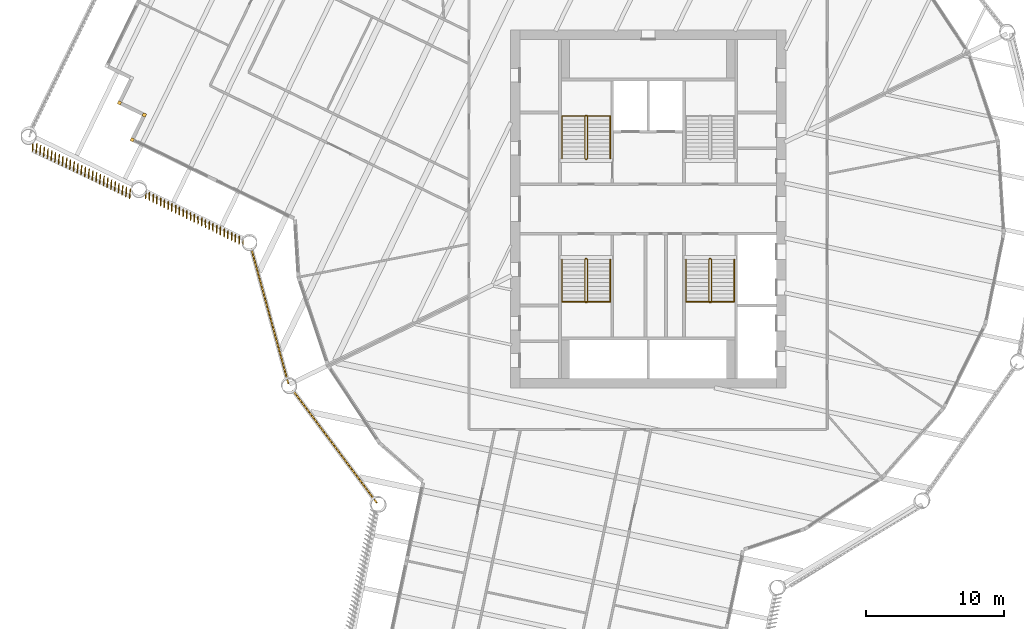
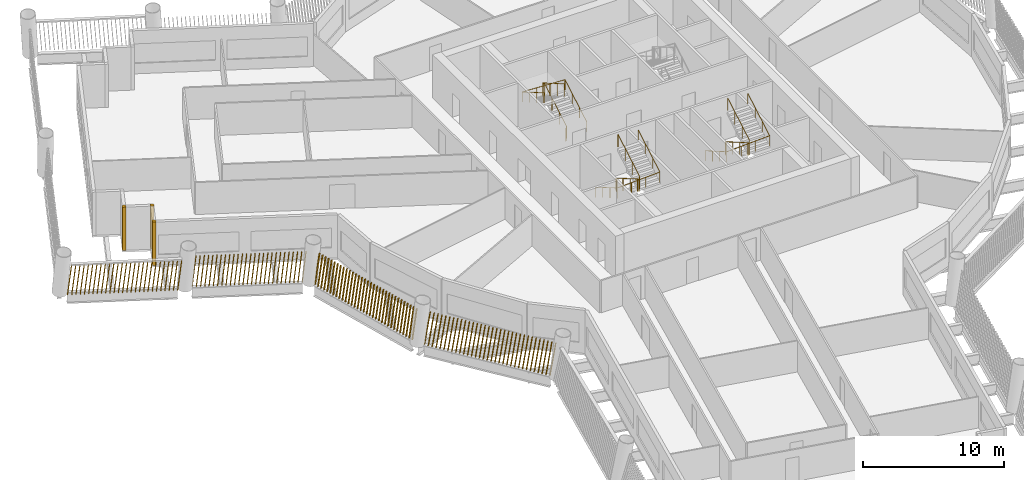
# One storey, part 12 of 15: 7 shading devices, 6 railings.
"""IFC4 building model written with IfcOpenShell, lengths in metres."""

from ifc_helpers import new_model, si_unit, direction, frame, frame_2d, origin, origin_2d, place, context, subcontext, project, spatial, rectangle, circle, composite_profile, extrude, material, type_object, element, save


model = new_model("IFC4")

# Units and contexts
model_context = context("Model", 3, precision=1e-05, world=origin(), true_north=direction((0.0, 1.0)))
body_context = subcontext(model_context, "Body", "Model", "MODEL_VIEW")
ifc_project = project(units=[si_unit("LENGTHUNIT", "METRE"), si_unit("AREAUNIT", "SQUARE_METRE"), si_unit("VOLUMEUNIT", "CUBIC_METRE"), si_unit("PLANEANGLEUNIT", "RADIAN"), si_unit("MASSUNIT", "GRAM", prefix="KILO")], contexts=[model_context])

# Site, building, storey
site_placement = place(None, origin())
site = spatial("IfcSite", under=ifc_project, at=site_placement, CompositionType="ELEMENT")
building_placement = place(site_placement, origin())
building = spatial("IfcBuilding", under=site, at=building_placement, Name="Tarsis Ring Headquarters", CompositionType="ELEMENT")
storey_placement = place(building_placement, frame((0.0, 0.0, 174.89990234375)))
storey = spatial("IfcBuildingStorey", under=building, at=storey_placement, Name="L40", CompositionType="ELEMENT", Elevation=174.89990234375)

# Railings
ifc_material_1 = material(Name="Steel S355", Category="steel")
railing_type_1 = type_object("IfcRailingType", Name="Core stair guard 1100", PredefinedType="GUARDRAIL", material=ifc_material_1)
railing_1_placement = place(storey_placement, frame((-4.5400390625, 3.610107421875, 0.0)))
element("IfcRailing", 1, at=railing_1_placement, inside=storey, type_object=railing_type_1, Name="L40 ST1 stair guard 1", PredefinedType="GUARDRAIL", context=body_context, shape_type="SweptSolid", body=[
    extrude(circle(Radius=0.02392578125, at=origin_2d()), frame((0.0, 0.0, 1.076171875), z_axis=(1.0, 0.0, 0.0), x_axis=(0.0, 1.0, 0.0)), (0.0, 0.0, 1.0), 0.080078125),
    extrude(circle(Radius=0.02392578125, at=origin_2d()), frame((0.080078125, 0.0, 1.076171875), z_axis=(0.282336740067, 0.280959487676, 0.917250092119), x_axis=(-0.705375805398, 0.708833529934, 0.0)), (0.0, 0.0, 1.0), 0.17724609375),
    extrude(circle(Radius=0.02392578125, at=origin_2d()), frame((0.130126953125, 0.0498046875, 1.23876953125), z_axis=(0.0, 0.864890721111, 0.501960198159), x_axis=(-1.0, 0.0, 0.0)), (0.0, 0.0, 1.0), 3.561279296875),
    extrude(circle(Radius=0.02392578125, at=origin_2d()), frame((0.130126953125, 3.1298828125, 3.0263671875), z_axis=(-0.707106781187, 0.707106781187, 0.0), x_axis=(-0.707106781187, -0.707106781187, 0.0)), (0.0, 0.0, 1.0), 0.07080078125),
    extrude(circle(Radius=0.02392578125, at=origin_2d()), frame((0.080078125, 3.179931640625, 3.0263671875), z_axis=(-1.0, 0.0, 0.0), x_axis=(0.0, -1.0, 0.0)), (0.0, 0.0, 1.0), 0.080078125),
    extrude(circle(Radius=0.02392578125, at=origin_2d()), frame((0.0, 3.179931640625, 3.0263671875), z_axis=(-0.282583949758, -0.282583949758, 0.916674763849), x_axis=(0.707106781187, -0.707106781187, 0.0)), (0.0, 0.0, 1.0), 0.177001953125),
    extrude(circle(Radius=0.02392578125, at=origin_2d()), frame((-0.050048828125, 3.1298828125, 3.1884765625), z_axis=(0.0, -0.864890721111, 0.501960198159), x_axis=(1.0, 0.0, 0.0)), (0.0, 0.0, 1.0), 3.561279296875),
    extrude(circle(Radius=0.02099609375, at=origin_2d()), origin(), (0.0, 0.0, 1.0), 1.052001953125),
    extrude(circle(Radius=0.02099609375, at=origin_2d()), frame((0.080078125, 0.0, 0.0)), (0.0, 0.0, 1.0), 1.052001953125),
    extrude(circle(Radius=0.02099609375, at=origin_2d()), frame((0.130126953125, 0.0498046875, 0.16259765625)), (0.0, 0.0, 1.0), 1.052001953125),
    extrude(circle(Radius=0.02099609375, at=origin_2d()), frame((0.130126953125, 1.076416015625, 0.758544921875)), (0.0, 0.0, 1.0), 1.052001953125),
    extrude(circle(Radius=0.02099609375, at=origin_2d()), frame((0.130126953125, 2.103271484375, 1.354248046875)), (0.0, 0.0, 1.0), 1.052001953125),
    extrude(circle(Radius=0.02099609375, at=origin_2d()), frame((0.130126953125, 3.1298828125, 1.9501953125)), (0.0, 0.0, 1.0), 1.052001953125),
    extrude(circle(Radius=0.02099609375, at=origin_2d()), frame((0.080078125, 3.179931640625, 1.9501953125)), (0.0, 0.0, 1.0), 1.052001953125),
    extrude(circle(Radius=0.02099609375, at=origin_2d()), frame((0.0, 3.179931640625, 1.9501953125)), (0.0, 0.0, 1.0), 1.052001953125),
    extrude(circle(Radius=0.02099609375, at=origin_2d()), frame((-0.050048828125, 3.1298828125, 2.112548828125)), (0.0, 0.0, 1.0), 1.052001953125),
    extrude(circle(Radius=0.02099609375, at=origin_2d()), frame((-0.050048828125, 2.103271484375, 2.70849609375)), (0.0, 0.0, 1.0), 1.052001953125),
    extrude(circle(Radius=0.02099609375, at=origin_2d()), frame((-0.050048828125, 1.076416015625, 3.30419921875)), (0.0, 0.0, 1.0), 1.052001953125),
    extrude(circle(Radius=0.02099609375, at=origin_2d()), frame((-0.050048828125, 0.0498046875, 3.900146484375)), (0.0, 0.0, 1.0), 1.052001953125),
])
railing_2_placement = place(storey_placement, frame((-4.4599609375, -3.610107421875, 0.0)))
element("IfcRailing", 2, at=railing_2_placement, inside=storey, type_object=railing_type_1, Name="L40 ST3 stair guard 1", PredefinedType="GUARDRAIL", context=body_context, shape_type="SweptSolid", body=[
    extrude(circle(Radius=0.02392578125, at=origin_2d()), frame((0.0, 0.0, 1.076171875), z_axis=(-1.0, 0.0, 0.0), x_axis=(0.0, -1.0, 0.0)), (0.0, 0.0, 1.0), 0.080078125),
    extrude(circle(Radius=0.02392578125, at=origin_2d()), frame((-0.080078125, 0.0, 1.076171875), z_axis=(-0.282336740067, -0.280959487676, 0.917250092119), x_axis=(0.705375805398, -0.708833529934, 0.0)), (0.0, 0.0, 1.0), 0.17724609375),
    extrude(circle(Radius=0.02392578125, at=origin_2d()), frame((-0.130126953125, -0.0498046875, 1.23876953125), z_axis=(0.0, -0.864890721111, 0.501960198159), x_axis=(1.0, 0.0, 0.0)), (0.0, 0.0, 1.0), 3.561279296875),
    extrude(circle(Radius=0.02392578125, at=origin_2d()), frame((-0.130126953125, -3.1298828125, 3.0263671875), z_axis=(0.707106781187, -0.707106781187, 0.0), x_axis=(0.707106781187, 0.707106781187, 0.0)), (0.0, 0.0, 1.0), 0.07080078125),
    extrude(circle(Radius=0.02392578125, at=origin_2d()), frame((-0.080078125, -3.179931640625, 3.0263671875), z_axis=(1.0, 0.0, 0.0), x_axis=(0.0, 1.0, 0.0)), (0.0, 0.0, 1.0), 0.080078125),
    extrude(circle(Radius=0.02392578125, at=origin_2d()), frame((0.0, -3.179931640625, 3.0263671875), z_axis=(0.282583949758, 0.282583949758, 0.916674763849), x_axis=(-0.707106781187, 0.707106781187, 0.0)), (0.0, 0.0, 1.0), 0.177001953125),
    extrude(circle(Radius=0.02392578125, at=origin_2d()), frame((0.050048828125, -3.1298828125, 3.1884765625), z_axis=(0.0, 0.864890721111, 0.501960198159), x_axis=(-1.0, 0.0, 0.0)), (0.0, 0.0, 1.0), 3.561279296875),
    extrude(circle(Radius=0.02099609375, at=origin_2d()), origin(), (0.0, 0.0, 1.0), 1.052001953125),
    extrude(circle(Radius=0.02099609375, at=origin_2d()), frame((-0.080078125, 0.0, 0.0)), (0.0, 0.0, 1.0), 1.052001953125),
    extrude(circle(Radius=0.02099609375, at=origin_2d()), frame((-0.130126953125, -0.0498046875, 0.16259765625)), (0.0, 0.0, 1.0), 1.052001953125),
    extrude(circle(Radius=0.02099609375, at=origin_2d()), frame((-0.130126953125, -1.076416015625, 0.758544921875)), (0.0, 0.0, 1.0), 1.052001953125),
    extrude(circle(Radius=0.02099609375, at=origin_2d()), frame((-0.130126953125, -2.103271484375, 1.354248046875)), (0.0, 0.0, 1.0), 1.052001953125),
    extrude(circle(Radius=0.02099609375, at=origin_2d()), frame((-0.130126953125, -3.1298828125, 1.9501953125)), (0.0, 0.0, 1.0), 1.052001953125),
    extrude(circle(Radius=0.02099609375, at=origin_2d()), frame((-0.080078125, -3.179931640625, 1.9501953125)), (0.0, 0.0, 1.0), 1.052001953125),
    extrude(circle(Radius=0.02099609375, at=origin_2d()), frame((0.0, -3.179931640625, 1.9501953125)), (0.0, 0.0, 1.0), 1.052001953125),
    extrude(circle(Radius=0.02099609375, at=origin_2d()), frame((0.050048828125, -3.1298828125, 2.112548828125)), (0.0, 0.0, 1.0), 1.052001953125),
    extrude(circle(Radius=0.02099609375, at=origin_2d()), frame((0.050048828125, -2.103271484375, 2.70849609375)), (0.0, 0.0, 1.0), 1.052001953125),
    extrude(circle(Radius=0.02099609375, at=origin_2d()), frame((0.050048828125, -1.076416015625, 3.30419921875)), (0.0, 0.0, 1.0), 1.052001953125),
    extrude(circle(Radius=0.02099609375, at=origin_2d()), frame((0.050048828125, -0.0498046875, 3.900146484375)), (0.0, 0.0, 1.0), 1.052001953125),
])
railing_3_placement = place(storey_placement, frame((4.5400390625, -3.610107421875, 0.0)))
element("IfcRailing", 3, at=railing_3_placement, inside=storey, type_object=railing_type_1, Name="L40 ST4 stair guard 1", PredefinedType="GUARDRAIL", context=body_context, shape_type="SweptSolid", body=[
    extrude(circle(Radius=0.02392578125, at=origin_2d()), frame((0.0, 0.0, 1.076171875), z_axis=(-1.0, 0.0, 0.0), x_axis=(0.0, -1.0, 0.0)), (0.0, 0.0, 1.0), 0.080078125),
    extrude(circle(Radius=0.02392578125, at=origin_2d()), frame((-0.080078125, 0.0, 1.076171875), z_axis=(-0.282336740067, -0.280959487676, 0.917250092119), x_axis=(0.705375805398, -0.708833529934, 0.0)), (0.0, 0.0, 1.0), 0.17724609375),
    extrude(circle(Radius=0.02392578125, at=origin_2d()), frame((-0.130126953125, -0.0498046875, 1.23876953125), z_axis=(0.0, -0.864890721111, 0.501960198159), x_axis=(1.0, 0.0, 0.0)), (0.0, 0.0, 1.0), 3.561279296875),
    extrude(circle(Radius=0.02392578125, at=origin_2d()), frame((-0.130126953125, -3.1298828125, 3.0263671875), z_axis=(0.707106781187, -0.707106781187, 0.0), x_axis=(0.707106781187, 0.707106781187, 0.0)), (0.0, 0.0, 1.0), 0.07080078125),
    extrude(circle(Radius=0.02392578125, at=origin_2d()), frame((-0.080078125, -3.179931640625, 3.0263671875), z_axis=(1.0, 0.0, 0.0), x_axis=(0.0, 1.0, 0.0)), (0.0, 0.0, 1.0), 0.080078125),
    extrude(circle(Radius=0.02392578125, at=origin_2d()), frame((0.0, -3.179931640625, 3.0263671875), z_axis=(0.282583949758, 0.282583949758, 0.916674763849), x_axis=(-0.707106781187, 0.707106781187, 0.0)), (0.0, 0.0, 1.0), 0.177001953125),
    extrude(circle(Radius=0.02392578125, at=origin_2d()), frame((0.050048828125, -3.1298828125, 3.1884765625), z_axis=(0.0, 0.864890721111, 0.501960198159), x_axis=(-1.0, 0.0, 0.0)), (0.0, 0.0, 1.0), 3.561279296875),
    extrude(circle(Radius=0.02099609375, at=origin_2d()), origin(), (0.0, 0.0, 1.0), 1.052001953125),
    extrude(circle(Radius=0.02099609375, at=origin_2d()), frame((-0.080078125, 0.0, 0.0)), (0.0, 0.0, 1.0), 1.052001953125),
    extrude(circle(Radius=0.02099609375, at=origin_2d()), frame((-0.130126953125, -0.0498046875, 0.16259765625)), (0.0, 0.0, 1.0), 1.052001953125),
    extrude(circle(Radius=0.02099609375, at=origin_2d()), frame((-0.130126953125, -1.076416015625, 0.758544921875)), (0.0, 0.0, 1.0), 1.052001953125),
    extrude(circle(Radius=0.02099609375, at=origin_2d()), frame((-0.130126953125, -2.103271484375, 1.354248046875)), (0.0, 0.0, 1.0), 1.052001953125),
    extrude(circle(Radius=0.02099609375, at=origin_2d()), frame((-0.130126953125, -3.1298828125, 1.9501953125)), (0.0, 0.0, 1.0), 1.052001953125),
    extrude(circle(Radius=0.02099609375, at=origin_2d()), frame((-0.080078125, -3.179931640625, 1.9501953125)), (0.0, 0.0, 1.0), 1.052001953125),
    extrude(circle(Radius=0.02099609375, at=origin_2d()), frame((0.0, -3.179931640625, 1.9501953125)), (0.0, 0.0, 1.0), 1.052001953125),
    extrude(circle(Radius=0.02099609375, at=origin_2d()), frame((0.050048828125, -3.1298828125, 2.112548828125)), (0.0, 0.0, 1.0), 1.052001953125),
    extrude(circle(Radius=0.02099609375, at=origin_2d()), frame((0.050048828125, -2.103271484375, 2.70849609375)), (0.0, 0.0, 1.0), 1.052001953125),
    extrude(circle(Radius=0.02099609375, at=origin_2d()), frame((0.050048828125, -1.076416015625, 3.30419921875)), (0.0, 0.0, 1.0), 1.052001953125),
    extrude(circle(Radius=0.02099609375, at=origin_2d()), frame((0.050048828125, -0.0498046875, 3.900146484375)), (0.0, 0.0, 1.0), 1.052001953125),
])
railing_type_2 = type_object("IfcRailingType", Name="Core stair handrail 900", PredefinedType="HANDRAIL", material=ifc_material_1)
railing_4_placement = place(storey_placement, frame((-2.75, 3.659912109375, 0.16259765625)))
element("IfcRailing", 4, at=railing_4_placement, inside=storey, type_object=railing_type_2, Name="L40 ST1 stair handrail 1", PredefinedType="HANDRAIL", context=body_context, shape_type="SweptSolid", body=[
    extrude(circle(Radius=0.02392578125, at=origin_2d()), frame((0.0, 0.0, 0.8759765625), z_axis=(0.0, 0.864890721111, 0.501960198159), x_axis=(-1.0, 0.0, 0.0)), (0.0, 0.0, 1.0), 3.561279296875),
    extrude(circle(Radius=0.02392578125, at=origin_2d()), frame((0.0, 3.080078125, 2.66357421875), z_axis=(-0.998925869279, 0.0, 0.04633689335), x_axis=(0.0, -1.0, 0.0)), (0.0, 0.0, 1.0), 3.503662109375),
    extrude(circle(Radius=0.02392578125, at=origin_2d()), frame((-3.5, 3.080078125, 2.82568359375), z_axis=(0.0, -0.864890721111, 0.501960198159), x_axis=(1.0, 0.0, 0.0)), (0.0, 0.0, 1.0), 3.561279296875),
    extrude(circle(Radius=0.02099609375, at=origin_2d()), origin(), (0.0, 0.0, 1.0), 0.851806640625),
    extrude(circle(Radius=0.02099609375, at=origin_2d()), frame((0.0, 1.026611328125, 0.595947265625)), (0.0, 0.0, 1.0), 0.851806640625),
    extrude(circle(Radius=0.02099609375, at=origin_2d()), frame((0.0, 2.053466796875, 1.191650390625)), (0.0, 0.0, 1.0), 0.851806640625),
    extrude(circle(Radius=0.02099609375, at=origin_2d()), frame((0.0, 3.080078125, 1.78759765625)), (0.0, 0.0, 1.0), 0.851806640625),
    extrude(circle(Radius=0.02099609375, at=origin_2d()), frame((-1.166748046875, 3.080078125, 1.841796875)), (0.0, 0.0, 1.0), 0.851806640625),
    extrude(circle(Radius=0.02099609375, at=origin_2d()), frame((-2.333251953125, 3.080078125, 1.895751953125)), (0.0, 0.0, 1.0), 0.851806640625),
    extrude(circle(Radius=0.02099609375, at=origin_2d()), frame((-3.5, 3.080078125, 1.949951171875)), (0.0, 0.0, 1.0), 0.851806640625),
    extrude(circle(Radius=0.02099609375, at=origin_2d()), frame((-3.5, 2.053466796875, 2.5458984375)), (0.0, 0.0, 1.0), 0.851806640625),
    extrude(circle(Radius=0.02099609375, at=origin_2d()), frame((-3.5, 1.026611328125, 3.1416015625)), (0.0, 0.0, 1.0), 0.851806640625),
    extrude(circle(Radius=0.02099609375, at=origin_2d()), frame((-3.5, 0.0, 3.737548828125)), (0.0, 0.0, 1.0), 0.851806640625),
])
railing_5_placement = place(storey_placement, frame((-6.25, -3.659912109375, 0.16259765625)))
element("IfcRailing", 5, at=railing_5_placement, inside=storey, type_object=railing_type_2, Name="L40 ST3 stair handrail 1", PredefinedType="HANDRAIL", context=body_context, shape_type="SweptSolid", body=[
    extrude(circle(Radius=0.02392578125, at=origin_2d()), frame((0.0, 0.0, 0.8759765625), z_axis=(0.0, -0.864890721111, 0.501960198159), x_axis=(1.0, 0.0, 0.0)), (0.0, 0.0, 1.0), 3.561279296875),
    extrude(circle(Radius=0.02392578125, at=origin_2d()), frame((0.0, -3.080078125, 2.66357421875), z_axis=(0.998925869279, 0.0, 0.04633689335), x_axis=(0.0, 1.0, 0.0)), (0.0, 0.0, 1.0), 3.503662109375),
    extrude(circle(Radius=0.02392578125, at=origin_2d()), frame((3.5, -3.080078125, 2.82568359375), z_axis=(0.0, 0.864890721111, 0.501960198159), x_axis=(-1.0, 0.0, 0.0)), (0.0, 0.0, 1.0), 3.561279296875),
    extrude(circle(Radius=0.02099609375, at=origin_2d()), origin(), (0.0, 0.0, 1.0), 0.851806640625),
    extrude(circle(Radius=0.02099609375, at=origin_2d()), frame((0.0, -1.026611328125, 0.595947265625)), (0.0, 0.0, 1.0), 0.851806640625),
    extrude(circle(Radius=0.02099609375, at=origin_2d()), frame((0.0, -2.053466796875, 1.191650390625)), (0.0, 0.0, 1.0), 0.851806640625),
    extrude(circle(Radius=0.02099609375, at=origin_2d()), frame((0.0, -3.080078125, 1.78759765625)), (0.0, 0.0, 1.0), 0.851806640625),
    extrude(circle(Radius=0.02099609375, at=origin_2d()), frame((1.166748046875, -3.080078125, 1.841796875)), (0.0, 0.0, 1.0), 0.851806640625),
    extrude(circle(Radius=0.02099609375, at=origin_2d()), frame((2.333251953125, -3.080078125, 1.895751953125)), (0.0, 0.0, 1.0), 0.851806640625),
    extrude(circle(Radius=0.02099609375, at=origin_2d()), frame((3.5, -3.080078125, 1.949951171875)), (0.0, 0.0, 1.0), 0.851806640625),
    extrude(circle(Radius=0.02099609375, at=origin_2d()), frame((3.5, -2.053466796875, 2.5458984375)), (0.0, 0.0, 1.0), 0.851806640625),
    extrude(circle(Radius=0.02099609375, at=origin_2d()), frame((3.5, -1.026611328125, 3.1416015625)), (0.0, 0.0, 1.0), 0.851806640625),
    extrude(circle(Radius=0.02099609375, at=origin_2d()), frame((3.5, 0.0, 3.737548828125)), (0.0, 0.0, 1.0), 0.851806640625),
])
railing_6_placement = place(storey_placement, frame((2.75, -3.659912109375, 0.16259765625)))
element("IfcRailing", 6, at=railing_6_placement, inside=storey, type_object=railing_type_2, Name="L40 ST4 stair handrail 1", PredefinedType="HANDRAIL", context=body_context, shape_type="SweptSolid", body=[
    extrude(circle(Radius=0.02392578125, at=origin_2d()), frame((0.0, 0.0, 0.8759765625), z_axis=(0.0, -0.864890721111, 0.501960198159), x_axis=(1.0, 0.0, 0.0)), (0.0, 0.0, 1.0), 3.561279296875),
    extrude(circle(Radius=0.02392578125, at=origin_2d()), frame((0.0, -3.080078125, 2.66357421875), z_axis=(0.998925869279, 0.0, 0.04633689335), x_axis=(0.0, 1.0, 0.0)), (0.0, 0.0, 1.0), 3.503662109375),
    extrude(circle(Radius=0.02392578125, at=origin_2d()), frame((3.5, -3.080078125, 2.82568359375), z_axis=(0.0, 0.864890721111, 0.501960198159), x_axis=(-1.0, 0.0, 0.0)), (0.0, 0.0, 1.0), 3.561279296875),
    extrude(circle(Radius=0.02099609375, at=origin_2d()), origin(), (0.0, 0.0, 1.0), 0.851806640625),
    extrude(circle(Radius=0.02099609375, at=origin_2d()), frame((0.0, -1.026611328125, 0.595947265625)), (0.0, 0.0, 1.0), 0.851806640625),
    extrude(circle(Radius=0.02099609375, at=origin_2d()), frame((0.0, -2.053466796875, 1.191650390625)), (0.0, 0.0, 1.0), 0.851806640625),
    extrude(circle(Radius=0.02099609375, at=origin_2d()), frame((0.0, -3.080078125, 1.78759765625)), (0.0, 0.0, 1.0), 0.851806640625),
    extrude(circle(Radius=0.02099609375, at=origin_2d()), frame((1.166748046875, -3.080078125, 1.841796875)), (0.0, 0.0, 1.0), 0.851806640625),
    extrude(circle(Radius=0.02099609375, at=origin_2d()), frame((2.333251953125, -3.080078125, 1.895751953125)), (0.0, 0.0, 1.0), 0.851806640625),
    extrude(circle(Radius=0.02099609375, at=origin_2d()), frame((3.5, -3.080078125, 1.949951171875)), (0.0, 0.0, 1.0), 0.851806640625),
    extrude(circle(Radius=0.02099609375, at=origin_2d()), frame((3.5, -2.053466796875, 2.5458984375)), (0.0, 0.0, 1.0), 0.851806640625),
    extrude(circle(Radius=0.02099609375, at=origin_2d()), frame((3.5, -1.026611328125, 3.1416015625)), (0.0, 0.0, 1.0), 0.851806640625),
    extrude(circle(Radius=0.02099609375, at=origin_2d()), frame((3.5, 0.0, 3.737548828125)), (0.0, 0.0, 1.0), 0.851806640625),
])

# Shading devices
ifc_material_2 = material(Name="Terracotta baguette", Category="masonry")
shading_device_type_1 = type_object("IfcShadingDeviceType", Name="Terracotta baguette screen", PredefinedType="USERDEFINED", material=ifc_material_2)
shading_device_1_placement = place(storey_placement, frame((-25.80078125, -13.153076171875, 0.0), z_axis=(0.0, 0.0, 1.0), x_axis=(0.597976264834, -0.801499063086, 0.0)))
element("IfcShadingDevice", 7, at=shading_device_1_placement, inside=storey, type_object=shading_device_type_1, Name="Baguette screen L40-00", ObjectType="Terracotta baguette screen", PredefinedType="USERDEFINED", context=body_context, shape_type="SweptSolid", body=[
    extrude(composite_profile([rectangle(XDim=0.06005859375, YDim=0.1201171875, at=frame_2d((0.030029296875, 0.0))), rectangle(XDim=0.06005859375, YDim=0.1201171875, at=frame_2d((0.33349609375, 0.0))), rectangle(XDim=0.06005859375, YDim=0.1201171875, at=frame_2d((0.636962890625, 0.0))), rectangle(XDim=0.06005859375, YDim=0.1201171875, at=frame_2d((0.9404296875, 0.0))), rectangle(XDim=0.06005859375, YDim=0.1201171875, at=frame_2d((1.243896484375, 0.0))), rectangle(XDim=0.06005859375, YDim=0.1201171875, at=frame_2d((1.54736328125, 0.0))), rectangle(XDim=0.06005859375, YDim=0.1201171875, at=frame_2d((1.85107421875, 0.0))), rectangle(XDim=0.06005859375, YDim=0.1201171875, at=frame_2d((2.154541015625, 0.0))), rectangle(XDim=0.06005859375, YDim=0.1201171875, at=frame_2d((2.4580078125, 0.0))), rectangle(XDim=0.06005859375, YDim=0.1201171875, at=frame_2d((2.761474609375, 0.0))), rectangle(XDim=0.06005859375, YDim=0.1201171875, at=frame_2d((3.06494140625, 0.0))), rectangle(XDim=0.06005859375, YDim=0.1201171875, at=frame_2d((3.368408203125, 0.0))), rectangle(XDim=0.06005859375, YDim=0.1201171875, at=frame_2d((3.671875, 0.0))), rectangle(XDim=0.06005859375, YDim=0.1201171875, at=frame_2d((3.975341796875, 0.0))), rectangle(XDim=0.06005859375, YDim=0.1201171875, at=frame_2d((4.27880859375, 0.0))), rectangle(XDim=0.06005859375, YDim=0.1201171875, at=frame_2d((4.582275390625, 0.0))), rectangle(XDim=0.06005859375, YDim=0.1201171875, at=frame_2d((4.8857421875, 0.0))), rectangle(XDim=0.06005859375, YDim=0.1201171875, at=frame_2d((5.189453125, 0.0))), rectangle(XDim=0.06005859375, YDim=0.1201171875, at=frame_2d((5.492919921875, 0.0))), rectangle(XDim=0.06005859375, YDim=0.1201171875, at=frame_2d((5.79638671875, 0.0))), rectangle(XDim=0.06005859375, YDim=0.1201171875, at=frame_2d((6.099853515625, 0.0))), rectangle(XDim=0.06005859375, YDim=0.1201171875, at=frame_2d((6.4033203125, 0.0))), rectangle(XDim=0.06005859375, YDim=0.1201171875, at=frame_2d((6.706787109375, 0.0))), rectangle(XDim=0.06005859375, YDim=0.1201171875, at=frame_2d((7.01025390625, 0.0))), rectangle(XDim=0.06005859375, YDim=0.1201171875, at=frame_2d((7.313720703125, 0.0))), rectangle(XDim=0.06005859375, YDim=0.1201171875, at=frame_2d((7.6171875, 0.0))), rectangle(XDim=0.06005859375, YDim=0.1201171875, at=frame_2d((7.920654296875, 0.0))), rectangle(XDim=0.06005859375, YDim=0.1201171875, at=frame_2d((8.224365234375, 0.0))), rectangle(XDim=0.06005859375, YDim=0.1201171875, at=frame_2d((8.52783203125, 0.0))), rectangle(XDim=0.06005859375, YDim=0.1201171875, at=frame_2d((8.831298828125, 0.0))), rectangle(XDim=0.06005859375, YDim=0.1201171875, at=frame_2d((9.134765625, 0.0))), rectangle(XDim=0.06005859375, YDim=0.1201171875, at=frame_2d((9.438232421875, 0.0))), rectangle(XDim=0.06005859375, YDim=0.1201171875, at=frame_2d((9.74169921875, 0.0)))]), origin(), (0.150250449482, 0.001178641987, 0.988647264313), 2.984130859375),
])
shading_device_2_placement = place(storey_placement, frame((-44.6748046875, 4.872802734375, 0.0), z_axis=(0.0, 0.0, 1.0), x_axis=(0.899097874444, -0.437747157687, 0.0)))
element("IfcShadingDevice", 8, at=shading_device_2_placement, inside=storey, type_object=shading_device_type_1, Name="Baguette screen L40-19", ObjectType="Terracotta baguette screen", PredefinedType="USERDEFINED", context=body_context, shape_type="SweptSolid", body=[
    extrude(composite_profile([rectangle(XDim=0.06005859375, YDim=0.1201171875, at=frame_2d((0.030029296875, 0.0))), rectangle(XDim=0.06005859375, YDim=0.1201171875, at=frame_2d((0.33154296875, 0.0))), rectangle(XDim=0.06005859375, YDim=0.1201171875, at=frame_2d((0.63330078125, 0.0))), rectangle(XDim=0.06005859375, YDim=0.1201171875, at=frame_2d((0.934814453125, 0.0))), rectangle(XDim=0.06005859375, YDim=0.1201171875, at=frame_2d((1.236572265625, 0.0))), rectangle(XDim=0.06005859375, YDim=0.1201171875, at=frame_2d((1.5380859375, 0.0))), rectangle(XDim=0.06005859375, YDim=0.1201171875, at=frame_2d((1.83984375, 0.0))), rectangle(XDim=0.06005859375, YDim=0.1201171875, at=frame_2d((2.141357421875, 0.0))), rectangle(XDim=0.06005859375, YDim=0.1201171875, at=frame_2d((2.443115234375, 0.0))), rectangle(XDim=0.06005859375, YDim=0.1201171875, at=frame_2d((2.74462890625, 0.0))), rectangle(XDim=0.06005859375, YDim=0.1201171875, at=frame_2d((3.04638671875, 0.0))), rectangle(XDim=0.06005859375, YDim=0.1201171875, at=frame_2d((3.347900390625, 0.0))), rectangle(XDim=0.06005859375, YDim=0.1201171875, at=frame_2d((3.649658203125, 0.0))), rectangle(XDim=0.06005859375, YDim=0.1201171875, at=frame_2d((3.951171875, 0.0))), rectangle(XDim=0.06005859375, YDim=0.1201171875, at=frame_2d((4.252685546875, 0.0))), rectangle(XDim=0.06005859375, YDim=0.1201171875, at=frame_2d((4.554443359375, 0.0))), rectangle(XDim=0.06005859375, YDim=0.1201171875, at=frame_2d((4.85595703125, 0.0))), rectangle(XDim=0.06005859375, YDim=0.1201171875, at=frame_2d((5.15771484375, 0.0))), rectangle(XDim=0.06005859375, YDim=0.1201171875, at=frame_2d((5.459228515625, 0.0))), rectangle(XDim=0.06005859375, YDim=0.1201171875, at=frame_2d((5.760986328125, 0.0))), rectangle(XDim=0.06005859375, YDim=0.1201171875, at=frame_2d((6.0625, 0.0))), rectangle(XDim=0.06005859375, YDim=0.1201171875, at=frame_2d((6.3642578125, 0.0))), rectangle(XDim=0.06005859375, YDim=0.1201171875, at=frame_2d((6.665771484375, 0.0))), rectangle(XDim=0.06005859375, YDim=0.1201171875, at=frame_2d((6.967529296875, 0.0))), rectangle(XDim=0.06005859375, YDim=0.1201171875, at=frame_2d((7.26904296875, 0.0))), rectangle(XDim=0.06005859375, YDim=0.1201171875, at=frame_2d((7.57080078125, 0.0))), rectangle(XDim=0.06005859375, YDim=0.1201171875, at=frame_2d((7.872314453125, 0.0)))]), origin(), (0.080481170141, -0.198804189984, 0.976729069547), 3.0205078125),
])
shading_device_3_placement = place(storey_placement, frame((-36.506591796875, 1.31298828125, 0.0), z_axis=(0.0, 0.0, 1.0), x_axis=(0.899097874444, -0.437747157687, 0.0)))
element("IfcShadingDevice", 9, at=shading_device_3_placement, inside=storey, type_object=shading_device_type_1, Name="Baguette screen L40-20", ObjectType="Terracotta baguette screen", PredefinedType="USERDEFINED", context=body_context, shape_type="SweptSolid", body=[
    extrude(composite_profile([rectangle(XDim=0.06005859375, YDim=0.1201171875, at=frame_2d((0.030029296875, 0.0))), rectangle(XDim=0.06005859375, YDim=0.1201171875, at=frame_2d((0.33154296875, 0.0))), rectangle(XDim=0.06005859375, YDim=0.1201171875, at=frame_2d((0.63330078125, 0.0))), rectangle(XDim=0.06005859375, YDim=0.1201171875, at=frame_2d((0.934814453125, 0.0))), rectangle(XDim=0.06005859375, YDim=0.1201171875, at=frame_2d((1.236572265625, 0.0))), rectangle(XDim=0.06005859375, YDim=0.1201171875, at=frame_2d((1.5380859375, 0.0))), rectangle(XDim=0.06005859375, YDim=0.1201171875, at=frame_2d((1.83984375, 0.0))), rectangle(XDim=0.06005859375, YDim=0.1201171875, at=frame_2d((2.141357421875, 0.0))), rectangle(XDim=0.06005859375, YDim=0.1201171875, at=frame_2d((2.443115234375, 0.0))), rectangle(XDim=0.06005859375, YDim=0.1201171875, at=frame_2d((2.74462890625, 0.0))), rectangle(XDim=0.06005859375, YDim=0.1201171875, at=frame_2d((3.04638671875, 0.0))), rectangle(XDim=0.06005859375, YDim=0.1201171875, at=frame_2d((3.347900390625, 0.0))), rectangle(XDim=0.06005859375, YDim=0.1201171875, at=frame_2d((3.649658203125, 0.0))), rectangle(XDim=0.06005859375, YDim=0.1201171875, at=frame_2d((3.951171875, 0.0))), rectangle(XDim=0.06005859375, YDim=0.1201171875, at=frame_2d((4.252685546875, 0.0))), rectangle(XDim=0.06005859375, YDim=0.1201171875, at=frame_2d((4.554443359375, 0.0))), rectangle(XDim=0.06005859375, YDim=0.1201171875, at=frame_2d((4.85595703125, 0.0))), rectangle(XDim=0.06005859375, YDim=0.1201171875, at=frame_2d((5.15771484375, 0.0))), rectangle(XDim=0.06005859375, YDim=0.1201171875, at=frame_2d((5.459228515625, 0.0))), rectangle(XDim=0.06005859375, YDim=0.1201171875, at=frame_2d((5.760986328125, 0.0))), rectangle(XDim=0.06005859375, YDim=0.1201171875, at=frame_2d((6.0625, 0.0))), rectangle(XDim=0.06005859375, YDim=0.1201171875, at=frame_2d((6.3642578125, 0.0))), rectangle(XDim=0.06005859375, YDim=0.1201171875, at=frame_2d((6.665771484375, 0.0))), rectangle(XDim=0.06005859375, YDim=0.1201171875, at=frame_2d((6.967529296875, 0.0))), rectangle(XDim=0.06005859375, YDim=0.1201171875, at=frame_2d((7.26904296875, 0.0))), rectangle(XDim=0.06005859375, YDim=0.1201171875, at=frame_2d((7.57080078125, 0.0))), rectangle(XDim=0.06005859375, YDim=0.1201171875, at=frame_2d((7.872314453125, 0.0)))]), origin(), (0.07882524331, -0.153809548154, 0.984951371345), 2.995361328125),
])
shading_device_4_placement = place(storey_placement, frame((-28.819580078125, -2.84716796875, 0.0), z_axis=(0.0, 0.0, 1.0), x_axis=(0.264784509681, -0.964297314179, 0.0)))
element("IfcShadingDevice", 10, at=shading_device_4_placement, inside=storey, type_object=shading_device_type_1, Name="Baguette screen L40-21", ObjectType="Terracotta baguette screen", PredefinedType="USERDEFINED", context=body_context, shape_type="SweptSolid", body=[
    extrude(composite_profile([rectangle(XDim=0.06005859375, YDim=0.1201171875, at=frame_2d((0.030029296875, 0.0))), rectangle(XDim=0.06005859375, YDim=0.1201171875, at=frame_2d((0.33349609375, 0.0))), rectangle(XDim=0.06005859375, YDim=0.1201171875, at=frame_2d((0.636962890625, 0.0))), rectangle(XDim=0.06005859375, YDim=0.1201171875, at=frame_2d((0.9404296875, 0.0))), rectangle(XDim=0.06005859375, YDim=0.1201171875, at=frame_2d((1.243896484375, 0.0))), rectangle(XDim=0.06005859375, YDim=0.1201171875, at=frame_2d((1.54736328125, 0.0))), rectangle(XDim=0.06005859375, YDim=0.1201171875, at=frame_2d((1.85107421875, 0.0))), rectangle(XDim=0.06005859375, YDim=0.1201171875, at=frame_2d((2.154541015625, 0.0))), rectangle(XDim=0.06005859375, YDim=0.1201171875, at=frame_2d((2.4580078125, 0.0))), rectangle(XDim=0.06005859375, YDim=0.1201171875, at=frame_2d((2.761474609375, 0.0))), rectangle(XDim=0.06005859375, YDim=0.1201171875, at=frame_2d((3.06494140625, 0.0))), rectangle(XDim=0.06005859375, YDim=0.1201171875, at=frame_2d((3.368408203125, 0.0))), rectangle(XDim=0.06005859375, YDim=0.1201171875, at=frame_2d((3.671875, 0.0))), rectangle(XDim=0.06005859375, YDim=0.1201171875, at=frame_2d((3.975341796875, 0.0))), rectangle(XDim=0.06005859375, YDim=0.1201171875, at=frame_2d((4.27880859375, 0.0))), rectangle(XDim=0.06005859375, YDim=0.1201171875, at=frame_2d((4.582275390625, 0.0))), rectangle(XDim=0.06005859375, YDim=0.1201171875, at=frame_2d((4.8857421875, 0.0))), rectangle(XDim=0.06005859375, YDim=0.1201171875, at=frame_2d((5.189453125, 0.0))), rectangle(XDim=0.06005859375, YDim=0.1201171875, at=frame_2d((5.492919921875, 0.0))), rectangle(XDim=0.06005859375, YDim=0.1201171875, at=frame_2d((5.79638671875, 0.0))), rectangle(XDim=0.06005859375, YDim=0.1201171875, at=frame_2d((6.099853515625, 0.0))), rectangle(XDim=0.06005859375, YDim=0.1201171875, at=frame_2d((6.4033203125, 0.0))), rectangle(XDim=0.06005859375, YDim=0.1201171875, at=frame_2d((6.706787109375, 0.0))), rectangle(XDim=0.06005859375, YDim=0.1201171875, at=frame_2d((7.01025390625, 0.0))), rectangle(XDim=0.06005859375, YDim=0.1201171875, at=frame_2d((7.313720703125, 0.0))), rectangle(XDim=0.06005859375, YDim=0.1201171875, at=frame_2d((7.6171875, 0.0))), rectangle(XDim=0.06005859375, YDim=0.1201171875, at=frame_2d((7.920654296875, 0.0))), rectangle(XDim=0.06005859375, YDim=0.1201171875, at=frame_2d((8.224365234375, 0.0))), rectangle(XDim=0.06005859375, YDim=0.1201171875, at=frame_2d((8.52783203125, 0.0))), rectangle(XDim=0.06005859375, YDim=0.1201171875, at=frame_2d((8.831298828125, 0.0))), rectangle(XDim=0.06005859375, YDim=0.1201171875, at=frame_2d((9.134765625, 0.0))), rectangle(XDim=0.06005859375, YDim=0.1201171875, at=frame_2d((9.438232421875, 0.0))), rectangle(XDim=0.06005859375, YDim=0.1201171875, at=frame_2d((9.74169921875, 0.0)))]), origin(), (0.150250356522, 0.001182028691, 0.988647274397), 2.984130859375),
])
shading_device_type_2 = type_object("IfcShadingDeviceType", Name="Terracotta corner baguette 250x250", PredefinedType="USERDEFINED", material=ifc_material_2)
for number, where, z_axis, x_axis, name in (
    (11, (-37.453369140625, 5.02734375, 0.0), (0.0, 0.0, 1.0), (-0.437743657549, -0.899099822198, 0.0), "Corner baguette L40-01"),
    (12, (-38.376220703125, 7.700927734375, 0.0), (0.0, 0.0, 1.0), (-0.437743861548, -0.899099722877, 0.0), "Corner baguette L40-39"),
    (13, (-36.577880859375, 6.825439453125, 0.0), (0.0, 0.0, 1.0), (0.899099722877, -0.437743861548, 0.0), "Corner baguette L40-40"),
):
    element("IfcShadingDevice", number, at=place(storey_placement, frame(where, z_axis=z_axis, x_axis=x_axis)), inside=storey, type_object=shading_device_type_2, Name=name, ObjectType="Terracotta corner baguette", PredefinedType="USERDEFINED", context=body_context, shape_type="SweptSolid", body=[
        extrude(rectangle(XDim=0.25, YDim=0.25, at=origin_2d()), origin(), (0.0, 0.0, 1.0), 3.739990234375),
    ])

save(model, "model.ifc")
